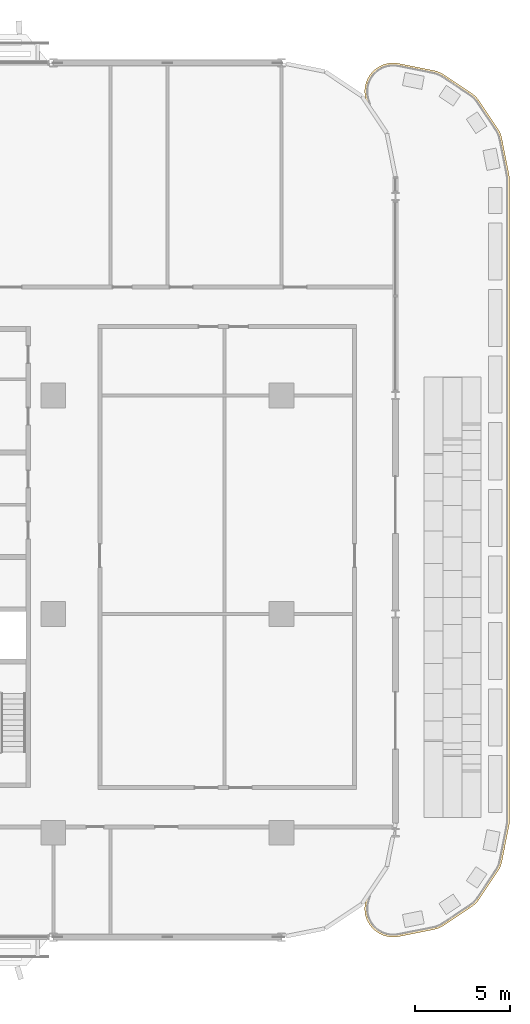
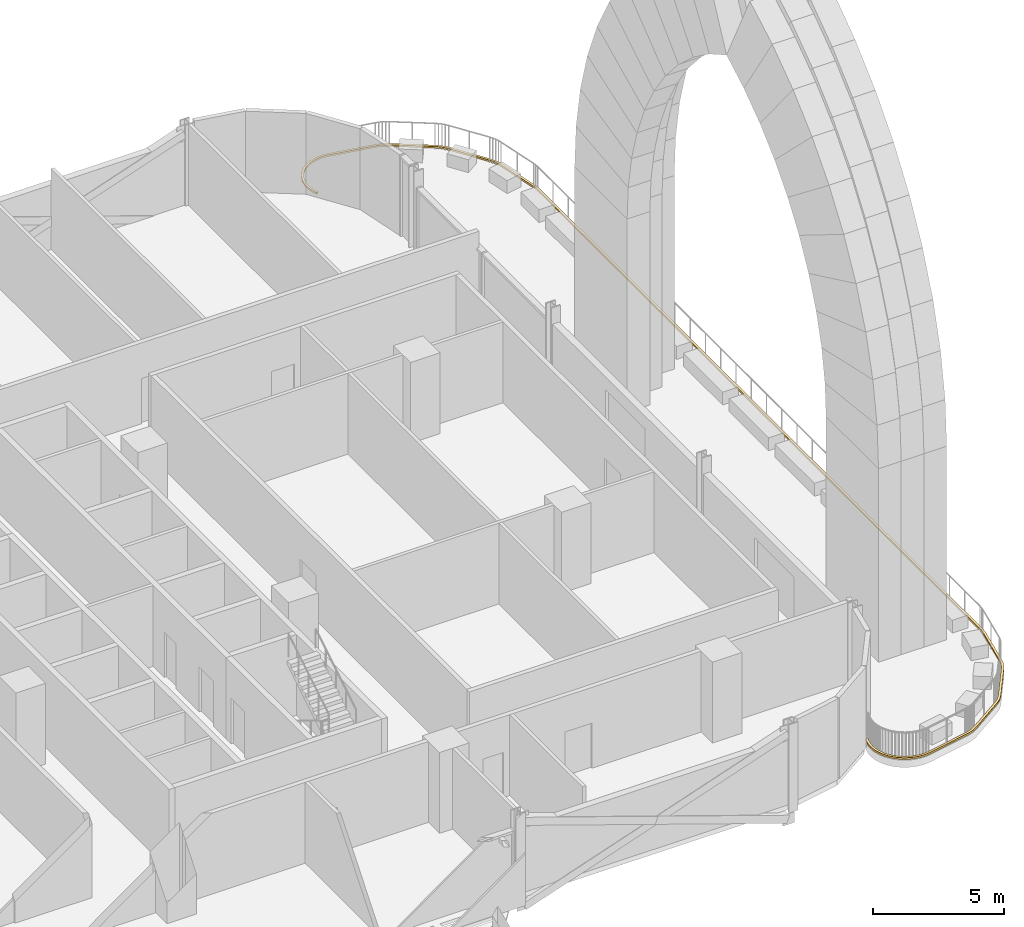
# One storey, part 31 of 33: 1 covering.
"""IFC4 building model written with IfcOpenShell, lengths in metres."""

from ifc_helpers import new_model, si_unit, direction, frame, origin, place, context, subcontext, project, spatial, polyline, outline, extrude, material, layer, layer_set, type_object, element, save


model = new_model("IFC4")

# Units and contexts
model_context = context("Model", 3, precision=1e-05, world=origin(), true_north=direction((0.0, 1.0)))
body_context = subcontext(model_context, "Body", "Model", "MODEL_VIEW")
ifc_project = project(units=[si_unit("LENGTHUNIT", "METRE"), si_unit("AREAUNIT", "SQUARE_METRE"), si_unit("VOLUMEUNIT", "CUBIC_METRE"), si_unit("PLANEANGLEUNIT", "RADIAN"), si_unit("MASSUNIT", "GRAM", prefix="KILO")], contexts=[model_context])

# Site, building, storey
site_placement = place(None, origin())
site = spatial("IfcSite", under=ifc_project, at=site_placement, CompositionType="ELEMENT")
building_placement = place(site_placement, origin())
building = spatial("IfcBuilding", under=site, at=building_placement, Name="Mahtab Terrace Research Tower", CompositionType="ELEMENT")
storey_placement = place(building_placement, frame((0.0, 0.0, 122.0)))
storey = spatial("IfcBuildingStorey", under=building, at=storey_placement, Name="L28", CompositionType="ELEMENT", Elevation=122.0)

# Covering
ifc_material = material(Name="Precast concrete C40/50", Category="concrete")
ifc_layer = layer(ifc_material, 0.199951171875)
ifc_layer_set = layer_set([ifc_layer], Name="Precast coping 400")
covering_type = type_object("IfcCoveringType", Name="Precast coping 400", PredefinedType="MOLDING", material=ifc_layer_set)
covering_placement = place(storey_placement, frame((0.0, 0.0, 0.030029296875)))
element("IfcCovering", 1, at=covering_placement, inside=storey, type_object=covering_type, Name="Terrace edge coping 3.1", PredefinedType="MOLDING", context=body_context, shape_type="SweptSolid", body=[
    extrude(outline(polyline([(46.5390625, -15.087890625), (46.5048828125, -15.221923828125), (46.485107421875, -15.35791015625), (46.47802734375, -15.4951171875), (46.485107421875, -15.632080078125), (46.5048828125, -15.76708984375), (46.5390625, -15.90087890625), (46.5849609375, -16.031005859375), (46.64306640625, -16.155029296875), (46.714111328125, -16.27197265625), (46.797119140625, -16.383056640625), (46.887939453125, -16.485107421875), (46.989990234375, -16.575927734375), (47.10107421875, -16.658935546875), (47.218017578125, -16.72998046875), (47.342041015625, -16.7880859375), (47.471923828125, -16.833984375), (47.60595703125, -16.867919921875), (47.740966796875, -16.887939453125), (47.8779296875, -16.89501953125), (48.014892578125, -16.887939453125), (48.154052734375, -16.866943359375), (49.98095703125, -16.5029296875), (50.116943359375, -16.469970703125), (50.2470703125, -16.424072265625), (50.37109375, -16.364990234375), (50.490966796875, -16.29296875), (51.93798828125, -15.325927734375), (52.050048828125, -15.243896484375), (52.15087890625, -15.15087890625), (52.243896484375, -15.050048828125), (52.325927734375, -14.93798828125), (53.29296875, -13.490966796875), (53.364990234375, -13.37109375), (53.424072265625, -13.2470703125), (53.469970703125, -13.116943359375), (53.5029296875, -12.98095703125), (53.8720703125, -11.1279296875), (53.89306640625, -10.989013671875), (53.89990234375, -10.85009765625), (53.89990234375, 22.85009765625), (53.89306640625, 22.989013671875), (53.8720703125, 23.1279296875), (53.5029296875, 24.98095703125), (53.469970703125, 25.116943359375), (53.424072265625, 25.2470703125), (53.364990234375, 25.37109375), (53.29296875, 25.490966796875), (52.325927734375, 26.93798828125), (52.243896484375, 27.050048828125), (52.15087890625, 27.15087890625), (52.050048828125, 27.243896484375), (51.93798828125, 27.325927734375), (50.490966796875, 28.29296875), (50.37109375, 28.364990234375), (50.2470703125, 28.424072265625), (50.116943359375, 28.469970703125), (49.98095703125, 28.5029296875), (48.154052734375, 28.866943359375), (48.014892578125, 28.887939453125), (47.8779296875, 28.89501953125), (47.740966796875, 28.887939453125), (47.60595703125, 28.867919921875), (47.471923828125, 28.833984375), (47.342041015625, 28.7880859375), (47.218017578125, 28.72998046875), (47.10107421875, 28.658935546875), (46.989990234375, 28.575927734375), (46.887939453125, 28.485107421875), (46.797119140625, 28.383056640625), (46.714111328125, 28.27197265625), (46.64306640625, 28.155029296875), (46.5849609375, 28.031005859375), (46.5390625, 27.90087890625), (46.5048828125, 27.76708984375), (46.485107421875, 27.632080078125), (46.47802734375, 27.4951171875), (46.485107421875, 27.35791015625), (46.5048828125, 27.221923828125), (46.5390625, 27.087890625), (46.583984375, 26.9609375), (46.489990234375, 26.927978515625), (46.444091796875, 27.056884765625), (46.44189453125, 27.06103515625), (46.407958984375, 27.199951171875), (46.406982421875, 27.2041015625), (46.385009765625, 27.344970703125), (46.385009765625, 27.35107421875), (46.3779296875, 27.492919921875), (46.3779296875, 27.4970703125), (46.385009765625, 27.638916015625), (46.385009765625, 27.64501953125), (46.406982421875, 27.784912109375), (46.407958984375, 27.7890625), (46.44189453125, 27.927978515625), (46.444091796875, 27.931884765625), (46.490966796875, 28.06689453125), (46.492919921875, 28.071044921875), (46.553955078125, 28.199951171875), (46.555908203125, 28.2041015625), (46.6298828125, 28.325927734375), (46.632080078125, 28.330078125), (46.718017578125, 28.444091796875), (46.719970703125, 28.447998046875), (46.81494140625, 28.553955078125), (46.819091796875, 28.55810546875), (46.925048828125, 28.653076171875), (46.928955078125, 28.655029296875), (47.04296875, 28.740966796875), (47.047119140625, 28.742919921875), (47.1689453125, 28.81689453125), (47.173095703125, 28.819091796875), (47.302001953125, 28.8798828125), (47.305908203125, 28.882080078125), (47.44091796875, 28.928955078125), (47.445068359375, 28.930908203125), (47.583984375, 28.965087890625), (47.587890625, 28.966064453125), (47.72802734375, 28.988037109375), (47.73388671875, 28.988037109375), (47.8759765625, 28.9951171875), (47.8798828125, 28.9951171875), (48.02197265625, 28.988037109375), (48.028076171875, 28.988037109375), (48.169921875, 28.966064453125), (48.172119140625, 28.966064453125), (50.001953125, 28.60107421875), (50.00390625, 28.60107421875), (50.14306640625, 28.56689453125), (50.14794921875, 28.56494140625), (50.282958984375, 28.51708984375), (50.287109375, 28.514892578125), (50.416015625, 28.4541015625), (50.419921875, 28.451904296875), (50.54296875, 28.37890625), (50.544921875, 28.376953125), (51.993896484375, 27.408935546875), (51.99609375, 27.406982421875), (52.111083984375, 27.322998046875), (52.114990234375, 27.319091796875), (52.219970703125, 27.22412109375), (52.22412109375, 27.219970703125), (52.319091796875, 27.114990234375), (52.322998046875, 27.111083984375), (52.406982421875, 26.99609375), (52.408935546875, 26.993896484375), (53.376953125, 25.544921875), (53.37890625, 25.54296875), (53.451904296875, 25.419921875), (53.4541015625, 25.416015625), (53.514892578125, 25.287109375), (53.51708984375, 25.282958984375), (53.56494140625, 25.14794921875), (53.56689453125, 25.14306640625), (53.60107421875, 25.00390625), (53.60107421875, 25.001953125), (53.970947265625, 23.14599609375), (53.970947265625, 23.14404296875), (53.992919921875, 23.001953125), (53.992919921875, 22.99609375), (54.0, 22.85302734375), (54.0, 22.85107421875), (54.0, -10.85107421875), (54.0, -10.85302734375), (53.992919921875, -10.99609375), (53.992919921875, -11.001953125), (53.970947265625, -11.14404296875), (53.970947265625, -11.14599609375), (53.60107421875, -13.001953125), (53.60107421875, -13.00390625), (53.56689453125, -13.14306640625), (53.56494140625, -13.14794921875), (53.51708984375, -13.282958984375), (53.514892578125, -13.287109375), (53.4541015625, -13.416015625), (53.451904296875, -13.419921875), (53.37890625, -13.54296875), (53.376953125, -13.544921875), (52.408935546875, -14.993896484375), (52.406982421875, -14.99609375), (52.322998046875, -15.111083984375), (52.319091796875, -15.114990234375), (52.22412109375, -15.219970703125), (52.219970703125, -15.22412109375), (52.114990234375, -15.319091796875), (52.111083984375, -15.322998046875), (51.99609375, -15.406982421875), (51.993896484375, -15.408935546875), (50.544921875, -16.376953125), (50.54296875, -16.37890625), (50.419921875, -16.451904296875), (50.416015625, -16.4541015625), (50.287109375, -16.514892578125), (50.282958984375, -16.51708984375), (50.14794921875, -16.56494140625), (50.14306640625, -16.56689453125), (50.00390625, -16.60107421875), (50.001953125, -16.60107421875), (48.172119140625, -16.966064453125), (48.169921875, -16.966064453125), (48.028076171875, -16.988037109375), (48.02197265625, -16.988037109375), (47.8798828125, -16.9951171875), (47.8759765625, -16.9951171875), (47.73388671875, -16.988037109375), (47.72802734375, -16.988037109375), (47.587890625, -16.966064453125), (47.583984375, -16.965087890625), (47.445068359375, -16.930908203125), (47.44091796875, -16.928955078125), (47.305908203125, -16.882080078125), (47.302001953125, -16.8798828125), (47.173095703125, -16.819091796875), (47.1689453125, -16.81689453125), (47.047119140625, -16.742919921875), (47.04296875, -16.740966796875), (46.928955078125, -16.655029296875), (46.925048828125, -16.653076171875), (46.819091796875, -16.55810546875), (46.81494140625, -16.553955078125), (46.719970703125, -16.447998046875), (46.718017578125, -16.444091796875), (46.632080078125, -16.330078125), (46.6298828125, -16.325927734375), (46.555908203125, -16.2041015625), (46.553955078125, -16.199951171875), (46.492919921875, -16.071044921875), (46.490966796875, -16.06689453125), (46.444091796875, -15.931884765625), (46.44189453125, -15.927978515625), (46.407958984375, -15.7890625), (46.406982421875, -15.784912109375), (46.385009765625, -15.64501953125), (46.385009765625, -15.638916015625), (46.3779296875, -15.4970703125), (46.3779296875, -15.492919921875), (46.385009765625, -15.35107421875), (46.385009765625, -15.344970703125), (46.406982421875, -15.2041015625), (46.407958984375, -15.199951171875), (46.44189453125, -15.06103515625), (46.444091796875, -15.056884765625), (46.489990234375, -14.927978515625), (46.583984375, -14.9609375), (46.5390625, -15.087890625)])), origin(), (0.0, 0.0, 1.0), 0.080078125),
])

save(model, "model.ifc")
